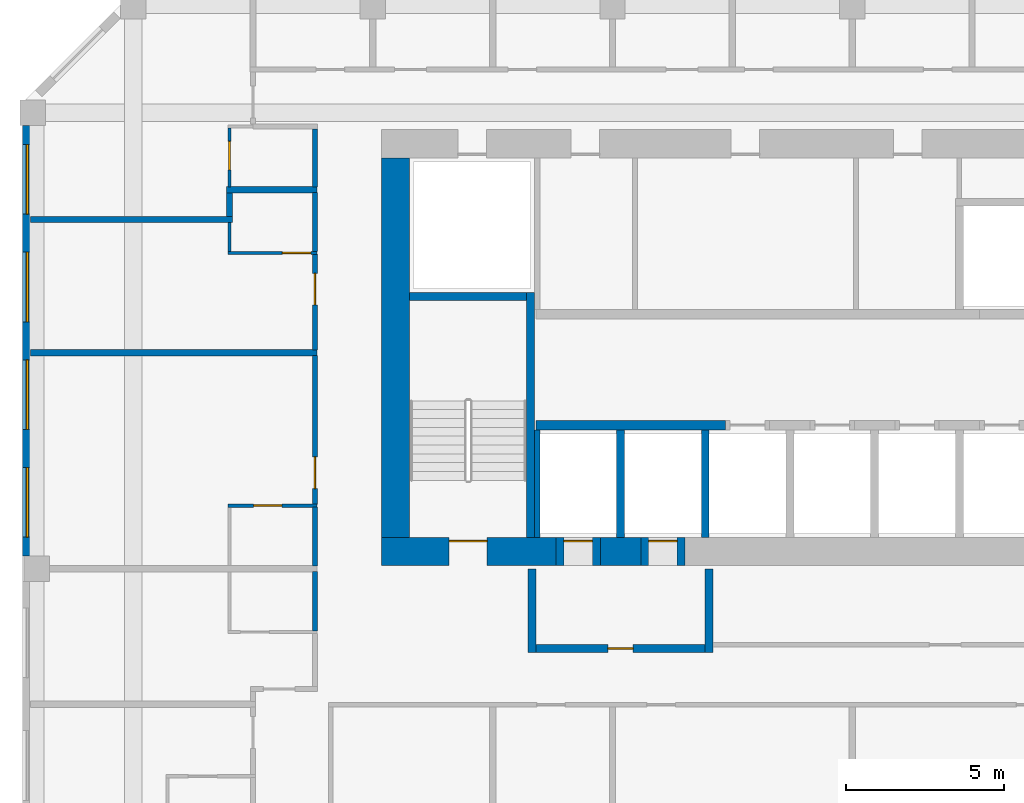
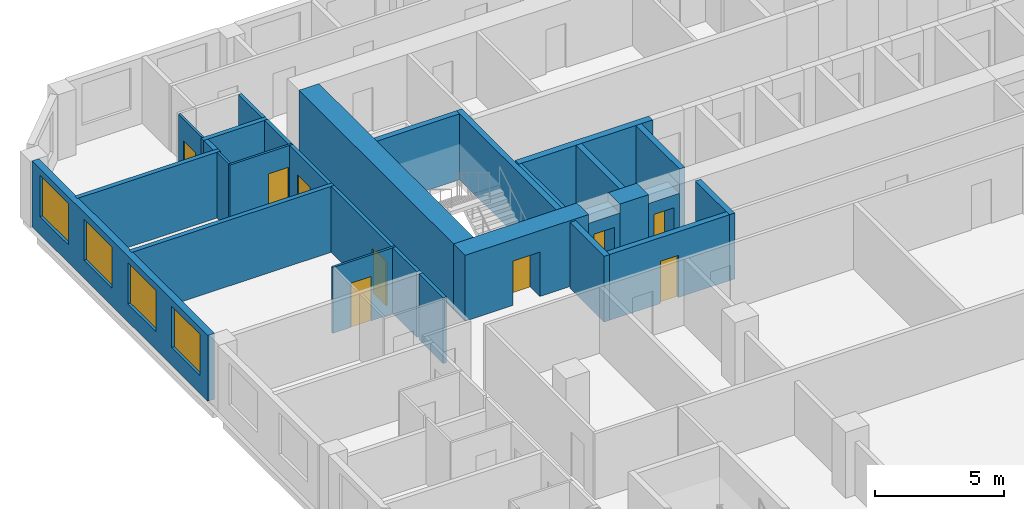
# One storey, part 7 of 24: 29 walls, 9 doors, 4 windows, 13 openings.
"""IFC4 building model written with IfcOpenShell, lengths in metres."""

import ifcopenshell
import ifcopenshell.guid

model = None  # the IFC model being written
_history = None  # IfcOwnerHistory: only IFC2X3 demands one
_inside = {}  # id of a spatial element -> (the spatial element, [elements in it])
_under = {}  # id of a project, library or spatial element -> (it, [spatial elements below it])
_declared = {}  # id of a project -> (the project, [libraries it declares])
_typed = {}  # id of a type object -> (the type object, [elements of that type])
_made_of = {}  # id of a material, layer set ... -> (it, [elements and type objects made of it])


def new_model(schema):
    """Start an empty IFC model of exactly this schema.

    Asked for "IFC4X3", IfcOpenShell would pick the latest addendum, in which some entities
    have other attributes; the version numbers below select the first issue.
    IFC2X3 requires an IfcOwnerHistory on every rooted entity: one is made here for all.
    """
    global model, _history
    if schema == "IFC4X3":
        model = ifcopenshell.file(schema_version=(4, 3, 0, 0))
    else:
        model = ifcopenshell.file(schema=schema)
    _inside.clear()
    _under.clear()
    _declared.clear()
    _typed.clear()
    _made_of.clear()
    _history = None
    if model.schema == "IFC2X3":
        org = make("IfcOrganization", Name="unknown")
        user = make(
            "IfcPersonAndOrganization",
            ThePerson=make("IfcPerson", FamilyName="unknown"),
            TheOrganization=org,
        )
        app = make(
            "IfcApplication",
            ApplicationDeveloper=org,
            Version="unknown",
            ApplicationFullName="unknown",
            ApplicationIdentifier="unknown",
        )
        _history = make(
            "IfcOwnerHistory",
            OwningUser=user,
            OwningApplication=app,
            ChangeAction="ADDED",
            CreationDate=0,
        )
    return model


def make(cls, **values):
    """One entity of the class cls with the attributes given. An attribute that is None is left unset."""
    return model.create_entity(
        cls, **{name: value for name, value in values.items() if value is not None}
    )


def rooted(cls, **values):
    """An entity with a GlobalId (a new one), such as an element, a storey or a relation."""
    return make(cls, GlobalId=ifcopenshell.guid.new(), OwnerHistory=_history, **values)


def si_unit(unit_type, name, prefix=None):
    """IfcSIUnit, for example si_unit("LENGTHUNIT", "METRE", prefix="MILLI")."""
    return make("IfcSIUnit", UnitType=unit_type, Prefix=prefix, Name=name)


def assignment(units):
    """IfcUnitAssignment: the units of a project."""
    return None if units is None else make("IfcUnitAssignment", Units=units)


def point(xyz):
    """IfcCartesianPoint."""
    return None if xyz is None else make("IfcCartesianPoint", Coordinates=xyz)


def direction(xyz):
    """IfcDirection."""
    return None if xyz is None else make("IfcDirection", DirectionRatios=xyz)


def frame(location, z_axis=None, x_axis=None):
    """IfcAxis2Placement3D, a coordinate frame: its origin and axes. An axis left out is left unset."""
    return make(
        "IfcAxis2Placement3D",
        Location=point(location),
        Axis=direction(z_axis),
        RefDirection=direction(x_axis),
    )


def frame_2d(location, x_axis=None):
    """IfcAxis2Placement2D, a coordinate frame in the plane: its origin and x axis."""
    return make(
        "IfcAxis2Placement2D", Location=point(location), RefDirection=direction(x_axis)
    )


def origin():
    """The frame at (0, 0, 0) with its axes left unset."""
    return frame((0.0, 0.0, 0.0))


def place(relative_to, where):
    """IfcLocalPlacement: puts the frame where relative to a parent placement (None: the world)."""
    return make(
        "IfcLocalPlacement", PlacementRelTo=relative_to, RelativePlacement=where
    )


def context(
    kind, dimensions, precision=None, world=None, true_north=None, identifier=None
):
    """IfcGeometricRepresentationContext, for example the 3D "Model" context."""
    return make(
        "IfcGeometricRepresentationContext",
        ContextIdentifier=identifier,
        ContextType=kind,
        CoordinateSpaceDimension=dimensions,
        Precision=precision,
        WorldCoordinateSystem=world,
        TrueNorth=true_north,
    )


def subcontext(parent, identifier, kind, view, scale=None):
    """IfcGeometricRepresentationSubContext, for example "Body" below "Model"."""
    return make(
        "IfcGeometricRepresentationSubContext",
        ContextIdentifier=identifier,
        ContextType=kind,
        ParentContext=parent,
        TargetScale=scale,
        TargetView=view,
    )


def project(units=None, contexts=None):
    """IfcProject with its units and contexts."""
    return rooted(
        "IfcProject",
        Name="project",
        RepresentationContexts=contexts,
        UnitsInContext=assignment(units),
    )


def spatial(cls, under=None, at=None, **own):
    """A site, building, storey or space (cls), placed at a placement, below another one or the project."""
    s = rooted(cls, ObjectPlacement=at, **own)
    if under is not None:
        _under.setdefault(under.id(), (under, []))[1].append(s)
    return s


def profile(cls, at=None, kind="AREA", **sizes):
    """A parametric profile (cls). Its sizes go by their IFC names, for example OverallWidth=200.0."""
    return make(cls, ProfileType=kind, Position=at, **sizes)


def rectangle(**sizes):
    """IfcRectangleProfileDef."""
    return profile("IfcRectangleProfileDef", **sizes)


def extrude(swept, where, along, depth):
    """IfcExtrudedAreaSolid: the profile swept, set in the frame where, extruded along a direction by depth."""
    return make(
        "IfcExtrudedAreaSolid",
        SweptArea=swept,
        Position=where,
        ExtrudedDirection=direction(along),
        Depth=depth,
    )


def shape(context_of_items, identifier, shape_type, items):
    """IfcShapeRepresentation: the items that make up one representation, for example the "Body"."""
    return make(
        "IfcShapeRepresentation",
        ContextOfItems=context_of_items,
        RepresentationIdentifier=identifier,
        RepresentationType=shape_type,
        Items=items,
    )


def source(mapping_origin, context_of_items, identifier, shape_type, items):
    """IfcRepresentationMap: a shape defined once, which mapped items show again and again."""
    return make(
        "IfcRepresentationMap",
        MappingOrigin=mapping_origin,
        MappedRepresentation=shape(context_of_items, identifier, shape_type, items),
    )


def transform(
    local_origin,
    x_axis=None,
    y_axis=None,
    z_axis=None,
    scale=None,
    scale2=None,
    scale3=None,
    uniform=True,
):
    """IfcCartesianTransformationOperator3D, or its non-uniform kind. x_axis, y_axis, z_axis: its Axis1, 2, 3."""
    if uniform:
        return make(
            "IfcCartesianTransformationOperator3D",
            Axis1=direction(x_axis),
            Axis2=direction(y_axis),
            LocalOrigin=point(local_origin),
            Scale=scale,
            Axis3=direction(z_axis),
        )
    return make(
        "IfcCartesianTransformationOperator3DnonUniform",
        Axis1=direction(x_axis),
        Axis2=direction(y_axis),
        LocalOrigin=point(local_origin),
        Scale=scale,
        Axis3=direction(z_axis),
        Scale2=scale2,
        Scale3=scale3,
    )


def mapped(mapping_source, mapping_target):
    """IfcMappedItem: shows the shape of a source again, moved by a transform."""
    return make(
        "IfcMappedItem", MappingSource=mapping_source, MappingTarget=mapping_target
    )


def material(Name=None, Category=None):
    """IfcMaterial."""
    return make("IfcMaterial", Name=Name, Category=Category)


def layer(
    of_material, thickness, ventilated=None, Name=None, Category=None, Priority=None
):
    """IfcMaterialLayer: one layer of a wall or slab, of a material (None: an air gap)."""
    return make(
        "IfcMaterialLayer",
        Material=of_material,
        LayerThickness=thickness,
        IsVentilated=ventilated,
        Name=Name,
        Category=Category,
        Priority=Priority,
    )


def layer_set(layers, Name=None):
    """IfcMaterialLayerSet."""
    return make("IfcMaterialLayerSet", MaterialLayers=layers, LayerSetName=Name)


def made_of(thing, what):
    """Note that an element or type object is made of a material, layer set ...; save() writes the relation."""
    if what is not None:
        _made_of.setdefault(what.id(), (what, []))[1].append(thing)
    return thing


def type_object(cls, material=None, **own):
    """A type object (cls), such as IfcWallType, which elements share."""
    return made_of(rooted(cls, **own), material)


def element(
    cls,
    number,
    at=None,
    inside=None,
    cuts=None,
    type_object=None,
    material=None,
    context=None,
    identifier="Body",
    shape_type=None,
    held_by="IfcProductDefinitionShape",
    body=None,
    shapes=None,
    **own,
):
    """One element of the class cls, such as IfcWall. Its Tag is "e" and its number.

    at: its placement. inside: the storey or other place that contains it. cuts: it is an
    opening in that element (IfcRelVoidsElement). A single representation is given by context,
    identifier, shape_type and body (its items); several are given by shapes. held_by: the class
    of the entity that holds the representations. save() writes the other relations.
    """
    e = rooted(cls, Tag="e%d" % number, ObjectPlacement=at, **own)
    if body is not None:
        shapes = [shape(context, identifier, shape_type, body)]
    if shapes is not None:
        e.Representation = make(held_by, Representations=shapes)
    if inside is not None:
        _inside.setdefault(inside.id(), (inside, []))[1].append(e)
    if cuts is not None:
        rooted(
            "IfcRelVoidsElement", RelatingBuildingElement=cuts, RelatedOpeningElement=e
        )
    if type_object is not None:
        _typed.setdefault(type_object.id(), (type_object, []))[1].append(e)
    return made_of(e, material)


def fill(opening, filler):
    """IfcRelFillsElement: the door or window that sits in an opening."""
    return rooted(
        "IfcRelFillsElement",
        RelatingOpeningElement=opening,
        RelatedBuildingElement=filler,
    )


def aggregate(whole, parts):
    """IfcRelAggregates: a whole, such as a stair, and the parts it consists of."""
    return rooted("IfcRelAggregates", RelatingObject=whole, RelatedObjects=parts)


def save(model, path):
    """Write the relations noted so far, then the file.

    IfcRelAggregates (storeys below a building ...), IfcRelContainedInSpatialStructure (elements
    in a storey), IfcRelDefinesByType, IfcRelAssociatesMaterial and IfcRelDeclares: one each for
    every whole, place, type object, material and project.
    """
    for whole, parts in _under.values():
        aggregate(whole, parts)
    for where, things in _inside.values():
        rooted(
            "IfcRelContainedInSpatialStructure",
            RelatedElements=things,
            RelatingStructure=where,
        )
    for kind, things in _typed.values():
        rooted("IfcRelDefinesByType", RelatedObjects=things, RelatingType=kind)
    for what, things in _made_of.values():
        rooted("IfcRelAssociatesMaterial", RelatedObjects=things, RelatingMaterial=what)
    for by, libraries in _declared.values():
        rooted("IfcRelDeclares", RelatingContext=by, RelatedDefinitions=libraries)
    model.write(path)


model = new_model("IFC4")

# Units and contexts
model_context = context("Model", 3, precision=1e-05, world=origin(), true_north=direction((0.0, 1.0)))
body_context = subcontext(model_context, "Body", "Model", "MODEL_VIEW")
ifc_project = project(units=[si_unit("LENGTHUNIT", "METRE"), si_unit("AREAUNIT", "SQUARE_METRE"), si_unit("VOLUMEUNIT", "CUBIC_METRE"), si_unit("PLANEANGLEUNIT", "RADIAN"), si_unit("MASSUNIT", "GRAM", prefix="KILO")], contexts=[model_context])

# Site, building, storey
site_placement = place(None, origin())
site = spatial("IfcSite", under=ifc_project, at=site_placement, CompositionType="ELEMENT")
building_placement = place(site_placement, origin())
building = spatial("IfcBuilding", under=site, at=building_placement, Name="Kilnfold Tower and Market Hall", CompositionType="ELEMENT")
storey_placement = place(building_placement, frame((0.0, 0.0, 175.300048828125)))
storey = spatial("IfcBuildingStorey", under=building, at=storey_placement, Name="L41", CompositionType="ELEMENT", Elevation=175.300048828125)

# Wall
ifc_material_1 = material(Name="Gypsum board on steel studs", Category="steel")
ifc_layer_1 = layer(ifc_material_1, 0.14990234375)
ifc_layer_set_1 = layer_set([ifc_layer_1], Name="Gypsum board on steel studs")
wall_type_1 = type_object("IfcWallType", Name="WALL CORRIDOR 150", PredefinedType="PARTITIONING", material=ifc_layer_set_1)
wall_1_placement = place(storey_placement, frame((-18.0, 6.0400390625, 0.0), z_axis=(0.0, 0.0, 1.0), x_axis=(0.0, 1.0, 0.0)))
element("IfcWall", 1, at=wall_1_placement, inside=storey, type_object=wall_type_1, Name="Partition LY26.21", PredefinedType="PARTITIONING", context=body_context, shape_type="SweptSolid", body=[
    extrude(rectangle(XDim=1.869873046875, YDim=0.14990234375, at=frame_2d((0.93505859375, 0.0))), origin(), (0.0, 0.0, 1.0), 3.119873046875),
])

# Wall, opening, door
wall_2_placement = place(storey_placement, frame((-18.0, 10.0400390625, 0.0), z_axis=(0.0, 0.0, 1.0), x_axis=(0.0, 1.0, 0.0)))
wall_2 = element("IfcWall", 2, at=wall_2_placement, inside=storey, type_object=wall_type_1, Name="Partition LY26.22", PredefinedType="PARTITIONING", context=body_context, shape_type="SweptSolid", body=[
    extrude(rectangle(XDim=4.70703125, YDim=0.14990234375, at=frame_2d((2.353515625, 0.0))), origin(), (0.0, 0.0, 1.0), 3.119873046875),
])
opening_1_placement = place(wall_2_placement, frame((0.5009765625, 0.0, 0.0)))
opening_1 = element("IfcOpeningElement", 3, at=opening_1_placement, cuts=wall_2, Name="Opening D1", PredefinedType="OPENING", context=body_context, shape_type="SweptSolid", body=[
    extrude(rectangle(XDim=1.0, YDim=2.10009765625, at=frame_2d((0.5, 1.050048828125))), frame((0.0, 0.0849609375, 0.0), z_axis=(0.0, -1.0, 0.0), x_axis=(1.0, 0.0, 0.0)), (0.0, 0.0, 1.0), 0.169921875),
])
ifc_material_2 = material(Name="Timber veneer door leaf in steel frame", Category="steel")
door_type_1 = type_object("IfcDoorType", Name="DOOR ENTRY 1000 X2100", OperationType="NOTDEFINED", PredefinedType="DOOR", material=ifc_material_2)
door_1_placement = place(opening_1_placement, origin())
door_1 = element("IfcDoor", 4, at=door_1_placement, inside=storey, type_object=door_type_1, Name="Door D1", OperationType="SINGLE_SWING_LEFT", OverallHeight=2.10009765625, OverallWidth=1.0, PredefinedType="DOOR", context=body_context, shape_type="SweptSolid", body=[
    extrude(rectangle(XDim=1.0, YDim=2.10009765625, at=frame_2d((0.5, 1.050048828125))), frame((0.0, 0.02490234375, 0.0), z_axis=(0.0, -1.0, 0.0), x_axis=(1.0, 0.0, 0.0)), (0.0, 0.0, 1.0), 0.050048828125),
])
fill(opening_1, door_1)

# Wall
wall_3_placement = place(storey_placement, frame((-18.0, 8.090087890625, 0.0), z_axis=(0.0, 0.0, 1.0), x_axis=(0.0, 1.0, 0.0)))
element("IfcWall", 5, at=wall_3_placement, inside=storey, type_object=wall_type_1, Name="Partition LY26.23", PredefinedType="PARTITIONING", context=body_context, shape_type="SweptSolid", body=[
    extrude(rectangle(XDim=1.869873046875, YDim=0.14990234375, at=frame_2d((0.93505859375, 0.0))), origin(), (0.0, 0.0, 1.0), 3.119873046875),
])

# Wall, opening, door
wall_4_placement = place(storey_placement, frame((-18.0, 14.927001953125, 0.0), z_axis=(0.0, 0.0, 1.0), x_axis=(0.0, 1.0, 0.0)))
wall_4 = element("IfcWall", 6, at=wall_4_placement, inside=storey, type_object=wall_type_1, Name="Partition LY26.24", PredefinedType="PARTITIONING", context=body_context, shape_type="SweptSolid", body=[
    extrude(rectangle(XDim=3.032958984375, YDim=0.14990234375, at=frame_2d((1.5166015625, 0.0))), origin(), (0.0, 0.0, 1.0), 3.119873046875),
])
opening_2_placement = place(wall_4_placement, frame((1.425048828125, 0.0, 0.0)))
opening_2 = element("IfcOpeningElement", 7, at=opening_2_placement, cuts=wall_4, Name="Opening D1", PredefinedType="OPENING", context=body_context, shape_type="SweptSolid", body=[
    extrude(rectangle(XDim=1.0, YDim=2.10009765625, at=frame_2d((0.5, 1.050048828125))), frame((0.0, 0.0849609375, 0.0), z_axis=(0.0, -1.0, 0.0), x_axis=(1.0, 0.0, 0.0)), (0.0, 0.0, 1.0), 0.169921875),
])
door_2_placement = place(opening_2_placement, origin())
door_2 = element("IfcDoor", 8, at=door_2_placement, inside=storey, type_object=door_type_1, Name="Door D1", OperationType="SINGLE_SWING_LEFT", OverallHeight=2.10009765625, OverallWidth=1.0, PredefinedType="DOOR", context=body_context, shape_type="SweptSolid", body=[
    extrude(rectangle(XDim=1.0, YDim=2.10009765625, at=frame_2d((0.5, 1.050048828125))), frame((0.0, 0.02490234375, 0.0), z_axis=(0.0, -1.0, 0.0), x_axis=(1.0, 0.0, 0.0)), (0.0, 0.0, 1.0), 0.050048828125),
])
fill(opening_2, door_2)

# Walls
wall_5_placement = place(storey_placement, frame((-18.0, 18.0400390625, 0.0), z_axis=(0.0, 0.0, 1.0), x_axis=(0.0, 1.0, 0.0)))
element("IfcWall", 9, at=wall_5_placement, inside=storey, type_object=wall_type_1, Name="Partition LY26.25", PredefinedType="PARTITIONING", context=body_context, shape_type="SweptSolid", body=[
    extrude(rectangle(XDim=1.869873046875, YDim=0.14990234375, at=frame_2d((0.93505859375, 0.0))), origin(), (0.0, 0.0, 1.0), 3.119873046875),
])
wall_6_placement = place(storey_placement, frame((-18.0, 20.090087890625, 0.0), z_axis=(0.0, 0.0, 1.0), x_axis=(0.0, 1.0, 0.0)))
element("IfcWall", 10, at=wall_6_placement, inside=storey, type_object=wall_type_1, Name="Partition LY26.27", PredefinedType="PARTITIONING", context=body_context, shape_type="SweptSolid", body=[
    extrude(rectangle(XDim=1.8349609375, YDim=0.14990234375, at=frame_2d((0.91748046875, 0.0))), origin(), (0.0, 0.0, 1.0), 3.119873046875),
])

# Wall, opening, door
ifc_material_3 = material(Name="Gypsum board on steel studs", Category="steel")
ifc_layer_2 = layer(ifc_material_3, 0.10009765625)
ifc_layer_set_2 = layer_set([ifc_layer_2], Name="Gypsum board on steel studs")
wall_type_2 = type_object("IfcWallType", Name="WALL PARTITION 100", PredefinedType="PARTITIONING", material=ifc_layer_set_2)
wall_7_placement = place(storey_placement, frame((-20.751953125, 10.0, 0.0), z_axis=(0.0, 0.0, 1.0), x_axis=(1.0, 0.0, 0.0)))
wall_7 = element("IfcWall", 11, at=wall_7_placement, inside=storey, type_object=wall_type_2, Name="Partition LY26.107", PredefinedType="PARTITIONING", context=body_context, shape_type="SweptSolid", body=[
    extrude(rectangle(XDim=2.824951171875, YDim=0.10009765625, at=frame_2d((1.41259765625, 0.0))), origin(), (0.0, 0.0, 1.0), 3.119873046875),
])
opening_3_placement = place(wall_7_placement, frame((0.81005859375, 0.0, 0.0)))
opening_3 = element("IfcOpeningElement", 12, at=opening_3_placement, cuts=wall_7, Name="Opening D3", PredefinedType="OPENING", context=body_context, shape_type="SweptSolid", body=[
    extrude(rectangle(XDim=0.89990234375, YDim=2.10009765625, at=frame_2d((0.449951171875, 1.050048828125))), frame((0.0, 0.06005859375, 0.0), z_axis=(0.0, -1.0, 0.0), x_axis=(1.0, 0.0, 0.0)), (0.0, 0.0, 1.0), 0.1201171875),
])
ifc_material_4 = material(Name="Timber veneer door leaf in steel frame", Category="steel")
door_type_2 = type_object("IfcDoorType", Name="DOOR WC 900 X2100", OperationType="NOTDEFINED", PredefinedType="DOOR", material=ifc_material_4)
door_3_placement = place(opening_3_placement, origin())
door_3 = element("IfcDoor", 13, at=door_3_placement, inside=storey, type_object=door_type_2, Name="Door D3", OperationType="SINGLE_SWING_LEFT", OverallHeight=2.10009765625, OverallWidth=0.89990234375, PredefinedType="DOOR", context=body_context, shape_type="SweptSolid", body=[
    extrude(rectangle(XDim=0.89990234375, YDim=2.10009765625, at=frame_2d((0.449951171875, 1.050048828125))), frame((0.0, 0.02490234375, 0.0), z_axis=(0.0, -1.0, 0.0), x_axis=(1.0, 0.0, 0.0)), (0.0, 0.0, 1.0), 0.050048828125),
])
fill(opening_3, door_3)

wall_8_placement = place(storey_placement, frame((-17.927001953125, 18.0, 0.0), z_axis=(0.0, 0.0, 1.0), x_axis=(-1.0, 0.0, 0.0)))
wall_8 = element("IfcWall", 14, at=wall_8_placement, inside=storey, type_object=wall_type_2, Name="Partition LY26.110", PredefinedType="PARTITIONING", context=body_context, shape_type="SweptSolid", body=[
    extrude(rectangle(XDim=2.824951171875, YDim=0.10009765625, at=frame_2d((1.41259765625, 0.0))), origin(), (0.0, 0.0, 1.0), 3.119873046875),
])
opening_4_placement = place(wall_8_placement, frame((0.199951171875, 0.0, 0.0)))
opening_4 = element("IfcOpeningElement", 15, at=opening_4_placement, cuts=wall_8, Name="Opening D3", PredefinedType="OPENING", context=body_context, shape_type="SweptSolid", body=[
    extrude(rectangle(XDim=0.89990234375, YDim=2.10009765625, at=frame_2d((0.449951171875, 1.050048828125))), frame((0.0, 0.06005859375, 0.0), z_axis=(0.0, -1.0, 0.0), x_axis=(1.0, 0.0, 0.0)), (0.0, 0.0, 1.0), 0.1201171875),
])
door_4_placement = place(opening_4_placement, origin())
door_4 = element("IfcDoor", 16, at=door_4_placement, inside=storey, type_object=door_type_2, Name="Door D3", OperationType="SINGLE_SWING_LEFT", OverallHeight=2.10009765625, OverallWidth=0.89990234375, PredefinedType="DOOR", context=body_context, shape_type="SweptSolid", body=[
    extrude(rectangle(XDim=0.89990234375, YDim=2.10009765625, at=frame_2d((0.449951171875, 1.050048828125))), frame((0.0, 0.02490234375, 0.0), z_axis=(0.0, -1.0, 0.0), x_axis=(1.0, 0.0, 0.0)), (0.0, 0.0, 1.0), 0.050048828125),
])
fill(opening_4, door_4)

# Wall
wall_9_placement = place(storey_placement, frame((-20.701904296875, 18.050048828125, 0.0), z_axis=(0.0, 0.0, 1.0), x_axis=(0.0, 1.0, 0.0)))
element("IfcWall", 17, at=wall_9_placement, inside=storey, type_object=wall_type_2, Name="Partition LY26.111", PredefinedType="PARTITIONING", context=body_context, shape_type="SweptSolid", body=[
    extrude(rectangle(XDim=0.90283203125, YDim=0.10009765625, at=frame_2d((0.451416015625, 0.0))), origin(), (0.0, 0.0, 1.0), 3.119873046875),
])

# Wall, opening, door
wall_10_placement = place(storey_placement, frame((-20.701904296875, 20.090087890625, 0.0), z_axis=(0.0, 0.0, 1.0), x_axis=(0.0, 1.0, 0.0)))
wall_10 = element("IfcWall", 18, at=wall_10_placement, inside=storey, type_object=wall_type_2, Name="Partition LY26.116", PredefinedType="PARTITIONING", context=body_context, shape_type="SweptSolid", body=[
    extrude(rectangle(XDim=1.85986328125, YDim=0.10009765625, at=frame_2d((0.929931640625, 0.0))), origin(), (0.0, 0.0, 1.0), 3.119873046875),
])
opening_5_placement = place(wall_10_placement, frame((0.535888671875, 0.0, 0.0)))
opening_5 = element("IfcOpeningElement", 19, at=opening_5_placement, cuts=wall_10, Name="Opening D3", PredefinedType="OPENING", context=body_context, shape_type="SweptSolid", body=[
    extrude(rectangle(XDim=0.89990234375, YDim=2.10009765625, at=frame_2d((0.449951171875, 1.050048828125))), frame((0.0, 0.06005859375, 0.0), z_axis=(0.0, -1.0, 0.0), x_axis=(1.0, 0.0, 0.0)), (0.0, 0.0, 1.0), 0.1201171875),
])
door_5_placement = place(opening_5_placement, origin())
door_5 = element("IfcDoor", 20, at=door_5_placement, inside=storey, type_object=door_type_2, Name="Door D3", OperationType="SINGLE_SWING_RIGHT", OverallHeight=2.10009765625, OverallWidth=0.89990234375, PredefinedType="DOOR", context=body_context, shape_type="SweptSolid", body=[
    extrude(rectangle(XDim=0.89990234375, YDim=2.10009765625, at=frame_2d((0.449951171875, 1.050048828125))), frame((0.0, 0.02490234375, 0.0), z_axis=(0.0, -1.0, 0.0), x_axis=(1.0, 0.0, 0.0)), (0.0, 0.0, 1.0), 0.050048828125),
])
fill(opening_5, door_5)

# Walls
ifc_material_5 = material(Name="Gypsum board on steel studs", Category="steel")
ifc_layer_3 = layer(ifc_material_5, 0.199951171875)
ifc_layer_set_3 = layer_set([ifc_layer_3], Name="Gypsum board on steel studs")
wall_type_3 = type_object("IfcWallType", Name="WALL PARTY 200", PredefinedType="PARTITIONING", material=ifc_layer_set_3)
wall_11_placement = place(storey_placement, frame((-17.927001953125, 14.8369140625, 0.0), z_axis=(0.0, 0.0, 1.0), x_axis=(-1.0, 0.0, 0.0)))
element("IfcWall", 21, at=wall_11_placement, inside=storey, type_object=wall_type_3, Name="Partition LY26.109", PredefinedType="PARTITIONING", context=body_context, shape_type="SweptSolid", body=[
    extrude(rectangle(XDim=9.072998046875, YDim=0.199951171875, at=frame_2d((4.53662109375, 0.0))), origin(), (0.0, 0.0, 1.0), 3.119873046875),
])
wall_12_placement = place(storey_placement, frame((-20.60205078125, 19.052978515625, 0.0), z_axis=(0.0, 0.0, 1.0), x_axis=(-1.0, 0.0, 0.0)))
element("IfcWall", 22, at=wall_12_placement, inside=storey, type_object=wall_type_3, Name="Partition LY26.112", PredefinedType="PARTITIONING", context=body_context, shape_type="SweptSolid", body=[
    extrude(rectangle(XDim=6.39794921875, YDim=0.199951171875, at=frame_2d((3.198974609375, 0.0))), origin(), (0.0, 0.0, 1.0), 3.119873046875),
])
wall_13_placement = place(storey_placement, frame((-20.701904296875, 19.89990234375, 0.0), z_axis=(0.0, 0.0, 1.0), x_axis=(0.0, -1.0, 0.0)))
element("IfcWall", 23, at=wall_13_placement, inside=storey, type_object=wall_type_3, Name="Partition LY26.113", PredefinedType="PARTITIONING", context=body_context, shape_type="SweptSolid", body=[
    extrude(rectangle(XDim=0.7568359375, YDim=0.199951171875, at=frame_2d((0.37841796875, 0.0))), origin(), (0.0, 0.0, 1.0), 3.119873046875),
])
wall_14_placement = place(storey_placement, frame((-17.927001953125, 20.0, 0.0), z_axis=(0.0, 0.0, 1.0), x_axis=(-1.0, 0.0, 0.0)))
element("IfcWall", 24, at=wall_14_placement, inside=storey, type_object=wall_type_3, Name="Partition LY26.114", PredefinedType="PARTITIONING", context=body_context, shape_type="SweptSolid", body=[
    extrude(rectangle(XDim=2.875, YDim=0.199951171875, at=frame_2d((1.4375, 0.0))), origin(), (0.0, 0.0, 1.0), 3.119873046875),
])

# Wall, opening, door
ifc_material_6 = material(Name="Concrete C70", Category="concrete")
ifc_layer_4 = layer(ifc_material_6, 0.89990234375)
ifc_layer_set_4 = layer_set([ifc_layer_4], Name="Concrete C70")
wall_type_4 = type_object("IfcWallType", Name="CORE WALL 900 C70", PredefinedType="SHEAR", material=ifc_layer_set_4)
shared_shape_1 = source(origin(), body_context, "Body", "SweptSolid", [
    extrude(rectangle(XDim=5.52978515625, YDim=0.89990234375, at=frame_2d((2.764892578125, 0.0))), origin(), (0.0, 0.0, 1.0), 3.119873046875),
])
wall_15_placement = place(storey_placement, frame((-15.89990234375, 8.550048828125, 0.0), z_axis=(0.0, 0.0, 1.0), x_axis=(1.0, 0.0, 0.0)))
wall_15 = element("IfcWall", 25, at=wall_15_placement, inside=storey, type_object=wall_type_4, Name="Core outer wall south", PredefinedType="SHEAR", context=body_context, shape_type="MappedRepresentation", body=[
    mapped(shared_shape_1, transform((0.0, 0.0, 0.0))),
])
opening_6_placement = place(wall_15_placement, frame((2.14990234375, 0.0, 0.0)))
opening_6 = element("IfcOpeningElement", 26, at=opening_6_placement, cuts=wall_15, Name="Opening SD1", PredefinedType="OPENING", context=body_context, shape_type="SweptSolid", body=[
    extrude(rectangle(XDim=1.199951171875, YDim=2.10009765625, at=frame_2d((0.60009765625, 1.050048828125))), frame((0.0, 0.4599609375, 0.0), z_axis=(0.0, -1.0, 0.0), x_axis=(1.0, 0.0, 0.0)), (0.0, 0.0, 1.0), 0.919921875),
])
ifc_material_7 = material(Name="Steel door set with fire-resisting leaf", Category="steel")
door_type_3 = type_object("IfcDoorType", Name="STAIR FLOOR DOOR 1200X2100", OperationType="NOTDEFINED", PredefinedType="DOOR", material=ifc_material_7)
door_6_placement = place(opening_6_placement, origin())
door_6 = element("IfcDoor", 27, at=door_6_placement, inside=storey, type_object=door_type_3, Name="Exit stair ST1 door", OperationType="DOUBLE_DOOR_SINGLE_SWING", OverallHeight=2.10009765625, OverallWidth=1.199951171875, PredefinedType="DOOR", context=body_context, shape_type="SweptSolid", body=[
    extrude(rectangle(XDim=1.199951171875, YDim=2.10009765625, at=frame_2d((0.60009765625, 1.050048828125))), frame((0.0, 0.35498046875, 0.0), z_axis=(0.0, -1.0, 0.0), x_axis=(1.0, 0.0, 0.0)), (0.0, 0.0, 1.0), 0.050048828125),
])
fill(opening_6, door_6)

# Walls
shared_shape_2 = source(origin(), body_context, "Body", "SweptSolid", [
    extrude(rectangle(XDim=1.280029296875, YDim=0.89990234375, at=frame_2d((0.64013671875, 0.0))), origin(), (0.0, 0.0, 1.0), 3.119873046875),
])
wall_16_placement = place(storey_placement, frame((-8.969970703125, 8.550048828125, 0.0), z_axis=(0.0, 0.0, 1.0), x_axis=(1.0, 0.0, 0.0)))
element("IfcWall", 28, at=wall_16_placement, inside=storey, type_object=wall_type_4, Name="Core outer wall south", PredefinedType="SHEAR", context=body_context, shape_type="MappedRepresentation", body=[
    mapped(shared_shape_2, transform((0.0, 0.0, 0.0))),
])
shared_shape_3 = source(origin(), body_context, "Body", "SweptSolid", [
    extrude(rectangle(XDim=12.0, YDim=0.89990234375, at=frame_2d((6.0, 0.0))), origin(), (0.0, 0.0, 1.0), 3.119873046875),
])
wall_17_placement = place(storey_placement, frame((-15.449951171875, 9.0, 0.0), z_axis=(0.0, 0.0, 1.0), x_axis=(0.0, 1.0, 0.0)))
element("IfcWall", 29, at=wall_17_placement, inside=storey, type_object=wall_type_4, Name="Core outer wall west", PredefinedType="SHEAR", context=body_context, shape_type="MappedRepresentation", body=[
    mapped(shared_shape_3, transform((0.0, 0.0, 0.0))),
])
ifc_material_8 = material(Name="Concrete C70", Category="concrete")
ifc_layer_5 = layer(ifc_material_8, 0.25)
ifc_layer_set_5 = layer_set([ifc_layer_5], Name="Concrete C70")
wall_type_5 = type_object("IfcWallType", Name="CORE WALL 250 C70", PredefinedType="SHEAR", material=ifc_layer_set_5)
shared_shape_4 = source(origin(), body_context, "Body", "SweptSolid", [
    extrude(rectangle(XDim=7.75, YDim=0.25, at=frame_2d((3.875, 0.0))), origin(), (0.0, 0.0, 1.0), 3.119873046875),
])
wall_18_placement = place(storey_placement, frame((-11.175048828125, 9.0, 0.0), z_axis=(0.0, 0.0, 1.0), x_axis=(0.0, 1.0, 0.0)))
element("IfcWall", 30, at=wall_18_placement, inside=storey, type_object=wall_type_5, Name="Stair enclosure ST1", PredefinedType="SHEAR", context=body_context, shape_type="MappedRepresentation", body=[
    mapped(shared_shape_4, transform((0.0, 0.0, 0.0))),
])
shared_shape_5 = source(origin(), body_context, "Body", "SweptSolid", [
    extrude(rectangle(XDim=3.699951171875, YDim=0.25, at=frame_2d((1.85009765625, 0.0))), origin(), (0.0, 0.0, 1.0), 3.119873046875),
])
wall_19_placement = place(storey_placement, frame((-15.0, 16.625, 0.0), z_axis=(0.0, 0.0, 1.0), x_axis=(1.0, 0.0, 0.0)))
element("IfcWall", 31, at=wall_19_placement, inside=storey, type_object=wall_type_5, Name="Stair enclosure ST1", PredefinedType="SHEAR", context=body_context, shape_type="MappedRepresentation", body=[
    mapped(shared_shape_5, transform((0.0, 0.0, 0.0))),
])
ifc_material_9 = material(Name="Concrete C70", Category="concrete")
ifc_layer_6 = layer(ifc_material_9, 0.300048828125)
ifc_layer_set_6 = layer_set([ifc_layer_6], Name="Concrete C70")
wall_type_6 = type_object("IfcWallType", Name="CORE WALL 300 C70", PredefinedType="SHEAR", material=ifc_layer_set_6)
shared_shape_6 = source(origin(), body_context, "Body", "SweptSolid", [
    extrude(rectangle(XDim=6.0, YDim=0.300048828125, at=frame_2d((3.0, 0.0))), origin(), (0.0, 0.0, 1.0), 3.119873046875),
])
wall_20_placement = place(storey_placement, frame((-11.010009765625, 12.550048828125, 0.0), z_axis=(0.0, 0.0, 1.0), x_axis=(1.0, 0.0, 0.0)))
element("IfcWall", 32, at=wall_20_placement, inside=storey, type_object=wall_type_6, Name="Core spine wall", PredefinedType="SHEAR", context=body_context, shape_type="MappedRepresentation", body=[
    mapped(shared_shape_6, transform((0.0, 0.0, 0.0))),
])

# Wall, openings, windows
ifc_material_10 = material(Name="Precast concrete C50/60", Category="concrete")
ifc_layer_7 = layer(ifc_material_10, 0.300048828125)
ifc_layer_set_7 = layer_set([ifc_layer_7], Name="Precast concrete C50/60")
wall_type_7 = type_object("IfcWallType", Name="PRECAST WALL 300", PredefinedType="SOLIDWALL", material=ifc_layer_set_7)
shared_shape_7 = source(origin(), body_context, "Body", "SweptSolid", [
    extrude(rectangle(XDim=13.6318359375, YDim=0.300048828125, at=frame_2d((6.81591796875, 0.0))), origin(), (0.0, 0.0, 1.0), 3.119873046875),
])
wall_21_placement = place(storey_placement, frame((-27.10009765625, 22.03173828125, 0.0), z_axis=(0.0, 0.0, 1.0), x_axis=(0.0, -1.0, 0.0)))
wall_21 = element("IfcWall", 33, at=wall_21_placement, inside=storey, type_object=wall_type_7, Name="External wall L41 W", PredefinedType="SOLIDWALL", context=body_context, shape_type="MappedRepresentation", body=[
    mapped(shared_shape_7, transform((0.0, 0.0, 0.0))),
])
opening_7_placement = place(wall_21_placement, frame((0.60400390625, 0.0, 0.85009765625)))
opening_7 = element("IfcOpeningElement", 34, at=opening_7_placement, cuts=wall_21, Name="Opening W2", PredefinedType="OPENING", context=body_context, shape_type="SweptSolid", body=[
    extrude(rectangle(XDim=2.199951171875, YDim=1.949951171875, at=frame_2d((1.10009765625, 0.97509765625))), frame((0.0, 0.16015625, 0.0), z_axis=(0.0, -1.0, 0.0), x_axis=(1.0, 0.0, 0.0)), (0.0, 0.0, 1.0), 0.320068359375),
])
opening_8_placement = place(wall_21_placement, frame((4.011962890625, 0.0, 0.85009765625)))
opening_8 = element("IfcOpeningElement", 35, at=opening_8_placement, cuts=wall_21, Name="Opening W2", PredefinedType="OPENING", context=body_context, shape_type="SweptSolid", body=[
    extrude(rectangle(XDim=2.199951171875, YDim=1.949951171875, at=frame_2d((1.10009765625, 0.97509765625))), frame((0.0, 0.16015625, 0.0), z_axis=(0.0, -1.0, 0.0), x_axis=(1.0, 0.0, 0.0)), (0.0, 0.0, 1.0), 0.320068359375),
])
opening_9_placement = place(wall_21_placement, frame((7.419921875, 0.0, 0.85009765625)))
opening_9 = element("IfcOpeningElement", 36, at=opening_9_placement, cuts=wall_21, Name="Opening W2", PredefinedType="OPENING", context=body_context, shape_type="SweptSolid", body=[
    extrude(rectangle(XDim=2.199951171875, YDim=1.949951171875, at=frame_2d((1.10009765625, 0.97509765625))), frame((0.0, 0.16015625, 0.0), z_axis=(0.0, -1.0, 0.0), x_axis=(1.0, 0.0, 0.0)), (0.0, 0.0, 1.0), 0.320068359375),
])
opening_10_placement = place(wall_21_placement, frame((10.827880859375, 0.0, 0.85009765625)))
opening_10 = element("IfcOpeningElement", 37, at=opening_10_placement, cuts=wall_21, Name="Opening W2", PredefinedType="OPENING", context=body_context, shape_type="SweptSolid", body=[
    extrude(rectangle(XDim=2.199951171875, YDim=1.949951171875, at=frame_2d((1.10009765625, 0.97509765625))), frame((0.0, 0.16015625, 0.0), z_axis=(0.0, -1.0, 0.0), x_axis=(1.0, 0.0, 0.0)), (0.0, 0.0, 1.0), 0.320068359375),
])
ifc_material_11 = material(Name="Aluminium frame and double glazing", Category="aluminium")
window_type = type_object("IfcWindowType", Name="WINDOW W2 2200X1950", PartitioningType="SINGLE_PANEL", PredefinedType="WINDOW", material=ifc_material_11)
window_1_placement = place(opening_7_placement, origin())
window_1 = element("IfcWindow", 38, at=window_1_placement, inside=storey, type_object=window_type, Name="Window W2 L41 W-1", OverallHeight=1.949951171875, OverallWidth=2.199951171875, PartitioningType="SINGLE_PANEL", PredefinedType="WINDOW", context=body_context, shape_type="SweptSolid", body=[
    extrude(rectangle(XDim=2.199951171875, YDim=1.949951171875, at=frame_2d((1.10009765625, 0.97509765625))), frame((0.0, 0.030029296875, 0.0), z_axis=(0.0, -1.0, 0.0), x_axis=(1.0, 0.0, 0.0)), (0.0, 0.0, 1.0), 0.06005859375),
])
fill(opening_7, window_1)
window_2_placement = place(opening_8_placement, origin())
window_2 = element("IfcWindow", 39, at=window_2_placement, inside=storey, type_object=window_type, Name="Window W2 L41 W-2", OverallHeight=1.949951171875, OverallWidth=2.199951171875, PartitioningType="SINGLE_PANEL", PredefinedType="WINDOW", context=body_context, shape_type="SweptSolid", body=[
    extrude(rectangle(XDim=2.199951171875, YDim=1.949951171875, at=frame_2d((1.10009765625, 0.97509765625))), frame((0.0, 0.030029296875, 0.0), z_axis=(0.0, -1.0, 0.0), x_axis=(1.0, 0.0, 0.0)), (0.0, 0.0, 1.0), 0.06005859375),
])
fill(opening_8, window_2)
window_3_placement = place(opening_9_placement, origin())
window_3 = element("IfcWindow", 40, at=window_3_placement, inside=storey, type_object=window_type, Name="Window W2 L41 W-3", OverallHeight=1.949951171875, OverallWidth=2.199951171875, PartitioningType="SINGLE_PANEL", PredefinedType="WINDOW", context=body_context, shape_type="SweptSolid", body=[
    extrude(rectangle(XDim=2.199951171875, YDim=1.949951171875, at=frame_2d((1.10009765625, 0.97509765625))), frame((0.0, 0.030029296875, 0.0), z_axis=(0.0, -1.0, 0.0), x_axis=(1.0, 0.0, 0.0)), (0.0, 0.0, 1.0), 0.06005859375),
])
fill(opening_9, window_3)
window_4_placement = place(opening_10_placement, origin())
window_4 = element("IfcWindow", 41, at=window_4_placement, inside=storey, type_object=window_type, Name="Window W2 L41 W-4", OverallHeight=1.949951171875, OverallWidth=2.199951171875, PartitioningType="SINGLE_PANEL", PredefinedType="WINDOW", context=body_context, shape_type="SweptSolid", body=[
    extrude(rectangle(XDim=2.199951171875, YDim=1.949951171875, at=frame_2d((1.10009765625, 0.97509765625))), frame((0.0, 0.030029296875, 0.0), z_axis=(0.0, -1.0, 0.0), x_axis=(1.0, 0.0, 0.0)), (0.0, 0.0, 1.0), 0.06005859375),
])
fill(opening_10, window_4)

# Wall, opening, door
ifc_material_12 = material(Name="Gypsum shaft wall system")
ifc_layer_8 = layer(ifc_material_12, 0.89990234375)
ifc_layer_set_8 = layer_set([ifc_layer_8], Name="Gypsum shaft wall system")
wall_type_8 = type_object("IfcWallType", Name="LOBBY WALL 900", PredefinedType="PARTITIONING", material=ifc_layer_set_8)
shared_shape_8 = source(origin(), body_context, "Body", "SweptSolid", [
    extrude(rectangle(XDim=1.400146484375, YDim=0.89990234375, at=frame_2d((0.7001953125, 0.0))), origin(), (0.0, 0.0, 1.0), 2.699951171875),
])
wall_22_placement = place(storey_placement, frame((-10.3701171875, 8.550048828125, 0.0), z_axis=(0.0, 0.0, 1.0), x_axis=(1.0, 0.0, 0.0)))
wall_22 = element("IfcWall", 42, at=wall_22_placement, inside=storey, type_object=wall_type_8, Name="Core wall infill", PredefinedType="PARTITIONING", context=body_context, shape_type="MappedRepresentation", body=[
    mapped(shared_shape_8, transform((0.0, 0.0, 0.0))),
])
opening_11_placement = place(wall_22_placement, frame((0.25, 0.0, 0.0)))
opening_11 = element("IfcOpeningElement", 43, at=opening_11_placement, cuts=wall_22, Name="Opening LD1", PredefinedType="OPENING", context=body_context, shape_type="SweptSolid", body=[
    extrude(rectangle(XDim=0.89990234375, YDim=2.10009765625, at=frame_2d((0.449951171875, 1.050048828125))), frame((0.0, 0.4599609375, 0.0), z_axis=(0.0, -1.0, 0.0), x_axis=(1.0, 0.0, 0.0)), (0.0, 0.0, 1.0), 0.919921875),
])
ifc_material_13 = material(Name="Steel door set with fire-resisting leaf", Category="steel")
door_type_4 = type_object("IfcDoorType", Name="FIREFIGHTING LANDING DOOR 900X2100", OperationType="NOTDEFINED", PredefinedType="DOOR", material=ifc_material_13)
door_7_placement = place(opening_11_placement, origin())
door_7 = element("IfcDoor", 44, at=door_7_placement, inside=storey, type_object=door_type_4, Name="Landing door FF1", OperationType="SLIDING_TO_LEFT", OverallHeight=2.10009765625, OverallWidth=0.89990234375, PredefinedType="DOOR", context=body_context, shape_type="SweptSolid", body=[
    extrude(rectangle(XDim=0.89990234375, YDim=2.10009765625, at=frame_2d((0.449951171875, 1.050048828125))), frame((0.0, 0.35498046875, 0.0), z_axis=(0.0, -1.0, 0.0), x_axis=(1.0, 0.0, 0.0)), (0.0, 0.0, 1.0), 0.050048828125),
])
fill(opening_11, door_7)

shared_shape_9 = source(origin(), body_context, "Body", "SweptSolid", [
    extrude(rectangle(XDim=1.39990234375, YDim=0.89990234375, at=frame_2d((0.699951171875, 0.0))), origin(), (0.0, 0.0, 1.0), 2.699951171875),
])
wall_23_placement = place(storey_placement, frame((-7.68994140625, 8.550048828125, 0.0), z_axis=(0.0, 0.0, 1.0), x_axis=(1.0, 0.0, 0.0)))
wall_23 = element("IfcWall", 45, at=wall_23_placement, inside=storey, type_object=wall_type_8, Name="Core wall infill", PredefinedType="PARTITIONING", context=body_context, shape_type="MappedRepresentation", body=[
    mapped(shared_shape_9, transform((0.0, 0.0, 0.0))),
])
opening_12_placement = place(wall_23_placement, frame((0.25, 0.0, 0.0)))
opening_12 = element("IfcOpeningElement", 46, at=opening_12_placement, cuts=wall_23, Name="Opening LD1", PredefinedType="OPENING", context=body_context, shape_type="SweptSolid", body=[
    extrude(rectangle(XDim=0.89990234375, YDim=2.10009765625, at=frame_2d((0.449951171875, 1.050048828125))), frame((0.0, 0.4599609375, 0.0), z_axis=(0.0, -1.0, 0.0), x_axis=(1.0, 0.0, 0.0)), (0.0, 0.0, 1.0), 0.919921875),
])
door_8_placement = place(opening_12_placement, origin())
door_8 = element("IfcDoor", 47, at=door_8_placement, inside=storey, type_object=door_type_4, Name="Landing door FF2", OperationType="SLIDING_TO_RIGHT", OverallHeight=2.10009765625, OverallWidth=0.89990234375, PredefinedType="DOOR", context=body_context, shape_type="SweptSolid", body=[
    extrude(rectangle(XDim=0.89990234375, YDim=2.10009765625, at=frame_2d((0.449951171875, 1.050048828125))), frame((0.0, 0.35498046875, 0.0), z_axis=(0.0, -1.0, 0.0), x_axis=(1.0, 0.0, 0.0)), (0.0, 0.0, 1.0), 0.050048828125),
])
fill(opening_12, door_8)

# Walls
ifc_material_14 = material(Name="Gypsum shaft wall system")
ifc_layer_9 = layer(ifc_material_14, 0.25)
ifc_layer_set_9 = layer_set([ifc_layer_9], Name="Gypsum shaft wall system")
wall_type_9 = type_object("IfcWallType", Name="LOBBY WALL 250", PredefinedType="PARTITIONING", material=ifc_layer_set_9)
shared_shape_10 = source(origin(), body_context, "Body", "SweptSolid", [
    extrude(rectangle(XDim=2.64990234375, YDim=0.25, at=frame_2d((1.324951171875, 0.0))), origin(), (0.0, 0.0, 1.0), 3.119873046875),
])
for number, where, z_axis, x_axis, name in (
    (48, (-11.135009765625, 5.35009765625, 0.0), (0.0, 0.0, 1.0), (0.0, 1.0, 0.0), "Firefighting lobby wall"),
    (49, (-5.52490234375, 5.35009765625, 0.0), (0.0, 0.0, 1.0), (0.0, 1.0, 0.0), "Firefighting lobby wall"),
):
    element("IfcWall", number, at=place(storey_placement, frame(where, z_axis=z_axis, x_axis=x_axis)), inside=storey, type_object=wall_type_9, Name=name, PredefinedType="PARTITIONING", context=body_context, shape_type="MappedRepresentation", body=[
        mapped(shared_shape_10, transform((0.0, 0.0, 0.0))),
    ])

# Wall, opening, door
shared_shape_11 = source(origin(), body_context, "Body", "SweptSolid", [
    extrude(rectangle(XDim=5.360107421875, YDim=0.25, at=frame_2d((2.68017578125, 0.0))), origin(), (0.0, 0.0, 1.0), 3.119873046875),
])
wall_24_placement = place(storey_placement, frame((-11.010009765625, 5.47509765625, 0.0), z_axis=(0.0, 0.0, 1.0), x_axis=(1.0, 0.0, 0.0)))
wall_24 = element("IfcWall", 50, at=wall_24_placement, inside=storey, type_object=wall_type_9, Name="Firefighting lobby wall", PredefinedType="PARTITIONING", context=body_context, shape_type="MappedRepresentation", body=[
    mapped(shared_shape_11, transform((0.0, 0.0, 0.0))),
])
opening_13_placement = place(wall_24_placement, frame((2.280029296875, 0.0, 0.0)))
opening_13 = element("IfcOpeningElement", 51, at=opening_13_placement, cuts=wall_24, Name="Opening VD1", PredefinedType="OPENING", context=body_context, shape_type="SweptSolid", body=[
    extrude(rectangle(XDim=0.800048828125, YDim=2.0, at=frame_2d((0.39990234375, 1.0))), frame((0.0, 0.135009765625, 0.0), z_axis=(0.0, -1.0, 0.0), x_axis=(1.0, 0.0, 0.0)), (0.0, 0.0, 1.0), 0.27001953125),
])
ifc_material_15 = material(Name="Steel door set with fire-resisting leaf", Category="steel")
door_type_5 = type_object("IfcDoorType", Name="FIREFIGHTING LOBBY DOOR 800X2000", OperationType="NOTDEFINED", PredefinedType="DOOR", material=ifc_material_15)
door_9_placement = place(opening_13_placement, origin())
door_9 = element("IfcDoor", 52, at=door_9_placement, inside=storey, type_object=door_type_5, Name="Firefighting lobby door", OperationType="SINGLE_SWING_LEFT", OverallHeight=2.0, OverallWidth=0.800048828125, PredefinedType="DOOR", context=body_context, shape_type="SweptSolid", body=[
    extrude(rectangle(XDim=0.800048828125, YDim=2.0, at=frame_2d((0.39990234375, 1.0))), frame((0.0, 0.02490234375, 0.0), z_axis=(0.0, -1.0, 0.0), x_axis=(1.0, 0.0, 0.0)), (0.0, 0.0, 1.0), 0.050048828125),
])
fill(opening_13, door_9)

# Walls
ifc_material_16 = material(Name="Gypsum shaft wall system")
ifc_layer_10 = layer(ifc_material_16, 0.25)
ifc_layer_set_10 = layer_set([ifc_layer_10], Name="Gypsum shaft wall system")
wall_type_10 = type_object("IfcWallType", Name="SHAFT WALL 250", PredefinedType="PARTITIONING", material=ifc_layer_set_10)
shared_shape_12 = source(origin(), body_context, "Body", "SweptSolid", [
    extrude(rectangle(XDim=3.39990234375, YDim=0.25, at=frame_2d((1.699951171875, 0.0))), origin(), (0.0, 0.0, 1.0), 3.119873046875),
])
for number, where, z_axis, x_axis, name in (
    (53, (-5.64990234375, 9.0, 0.0), (0.0, 0.0, 1.0), (0.0, 1.0, 0.0), "Lift shaft wall"),
    (54, (-8.330078125, 9.0, 0.0), (0.0, 0.0, 1.0), (0.0, 1.0, 0.0), "Lift shaft wall"),
):
    element("IfcWall", number, at=place(storey_placement, frame(where, z_axis=z_axis, x_axis=x_axis)), inside=storey, type_object=wall_type_10, Name=name, PredefinedType="PARTITIONING", context=body_context, shape_type="MappedRepresentation", body=[
        mapped(shared_shape_12, transform((0.0, 0.0, 0.0))),
    ])
ifc_material_17 = material(Name="Gypsum shaft wall system")
ifc_layer_11 = layer(ifc_material_17, 0.1650390625)
ifc_layer_set_11 = layer_set([ifc_layer_11], Name="Gypsum shaft wall system")
wall_type_11 = type_object("IfcWallType", Name="SHAFT WALL 165", PredefinedType="PARTITIONING", material=ifc_layer_set_11)
shared_shape_13 = source(origin(), body_context, "Body", "SweptSolid", [
    extrude(rectangle(XDim=3.39990234375, YDim=0.1650390625, at=frame_2d((1.699951171875, 0.0))), origin(), (0.0, 0.0, 1.0), 3.119873046875),
])
wall_25_placement = place(storey_placement, frame((-10.967529296875, 9.0, 0.0), z_axis=(0.0, 0.0, 1.0), x_axis=(0.0, 1.0, 0.0)))
element("IfcWall", 55, at=wall_25_placement, inside=storey, type_object=wall_type_11, Name="Lift shaft wall", PredefinedType="PARTITIONING", context=body_context, shape_type="MappedRepresentation", body=[
    mapped(shared_shape_13, transform((0.0, 0.0, 0.0))),
])

save(model, "model.ifc")
